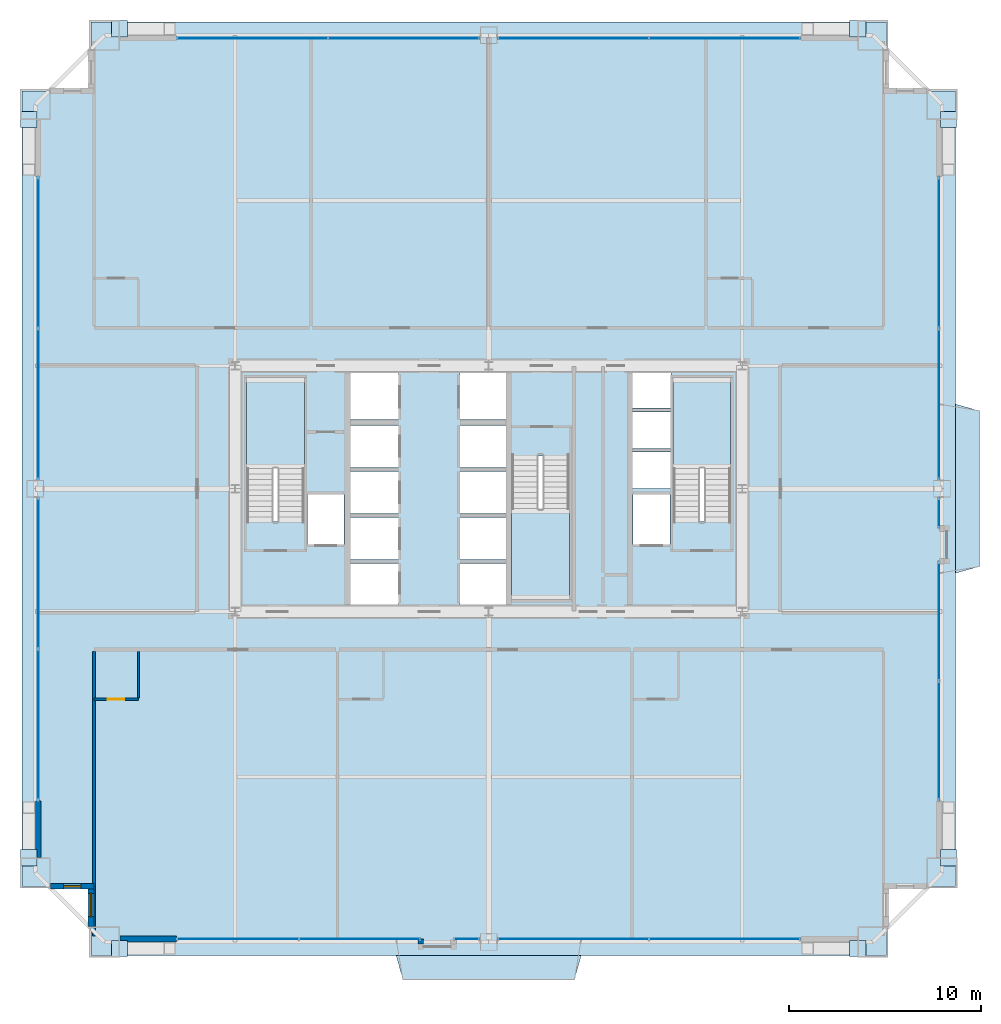
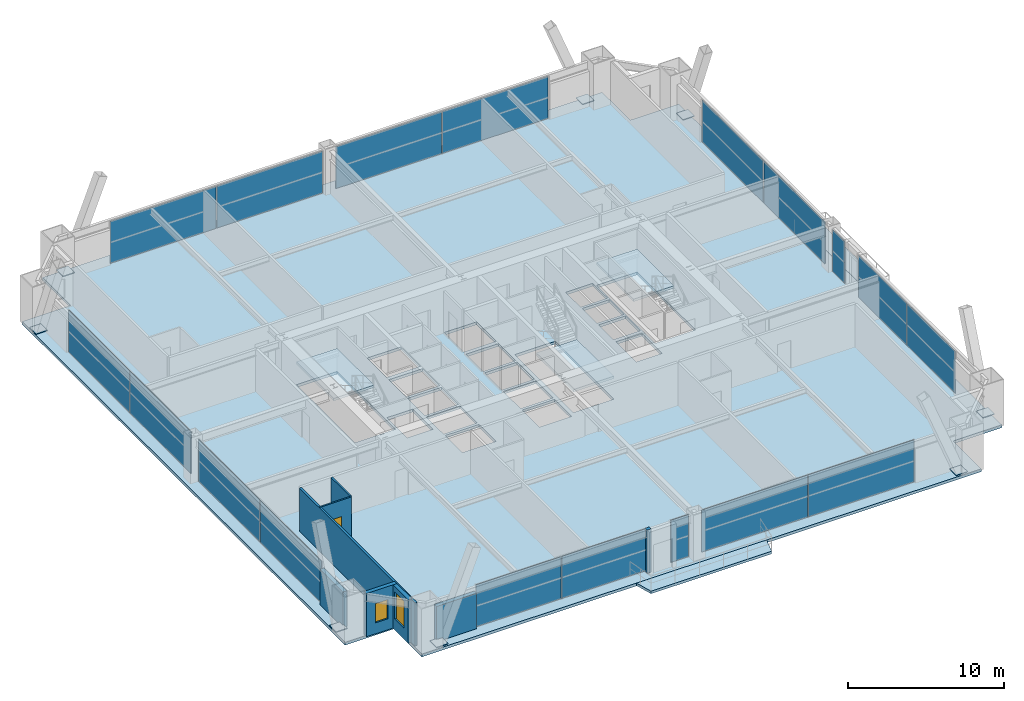
# One storey, part 38 of 43: 26 plates, 8 walls, 6 slabs, 2 windows, 1 door, 3 openings, 13 elements without a shape of their own.
"""IFC4 building model written with IfcOpenShell, lengths in metres."""

from ifc_helpers import new_model, si_unit, direction, frame, frame_2d, origin, origin_2d, place, context, subcontext, project, spatial, polyline, rectangle, outline, extrude, source, transform, mapped, material, layer, layer_set, type_object, element, fill, aggregate, save


model = new_model("IFC4")

# Units and contexts
model_context = context("Model", 3, precision=1e-05, world=origin(), true_north=direction((0.0, 1.0)))
body_context = subcontext(model_context, "Body", "Model", "MODEL_VIEW")
ifc_project = project(units=[si_unit("LENGTHUNIT", "METRE"), si_unit("AREAUNIT", "SQUARE_METRE"), si_unit("VOLUMEUNIT", "CUBIC_METRE"), si_unit("PLANEANGLEUNIT", "RADIAN"), si_unit("MASSUNIT", "GRAM", prefix="KILO"), si_unit("THERMODYNAMICTEMPERATUREUNIT", "KELVIN"), si_unit("POWERUNIT", "WATT")], contexts=[model_context])

# Site, building, storey
site_placement = place(None, origin())
site = spatial("IfcSite", under=ifc_project, at=site_placement, CompositionType="ELEMENT")
building_placement = place(site_placement, origin())
building = spatial("IfcBuilding", under=site, at=building_placement, Name="Yuzanri Waterfront Tower", CompositionType="ELEMENT")
storey_placement = place(building_placement, frame((0.0, 0.0, 101.0)))
storey = spatial("IfcBuildingStorey", under=building, at=storey_placement, Name="L26", CompositionType="ELEMENT", Elevation=101.0)

# Slabs
ifc_material_1 = material(Name="Concrete C40", Category="concrete")
ifc_layer_1 = layer(ifc_material_1, 0.199951171875)
ifc_layer_set_1 = layer_set([ifc_layer_1], Name="Concrete C40")
slab_type_1 = type_object("IfcSlabType", Name="Concrete C40 Cantilevered Engawa Wave Terrace Slab 200", PredefinedType="FLOOR", material=ifc_layer_set_1)
slab_1_placement = place(storey_placement, frame((0.0, 0.0, -0.199951171875)))
element("IfcSlab", 1, at=slab_1_placement, inside=storey, type_object=slab_type_1, Name="L26 S Cantilevered Engawa Terrace Slab", PredefinedType="FLOOR", context=body_context, shape_type="SweptSolid", body=[
    extrude(outline(polyline([(32.18310546875, 1.5), (41.81689453125, 1.5), (41.467041015625, 0.2451171875), (32.532958984375, 0.2451171875), (32.18310546875, 1.5)])), origin(), (0.0, 0.0, 1.0), 0.199951171875),
])
slab_2_placement = place(storey_placement, frame((0.0, 0.0, -0.199951171875)))
element("IfcSlab", 2, at=slab_2_placement, inside=storey, type_object=slab_type_1, Name="L26 E Cantilevered Engawa Terrace Slab", PredefinedType="FLOOR", context=body_context, shape_type="SweptSolid", body=[
    extrude(outline(polyline([(61.300048828125, 21.39990234375), (62.554931640625, 21.75), (62.554931640625, 29.85009765625), (61.300048828125, 30.199951171875), (61.300048828125, 21.39990234375)])), origin(), (0.0, 0.0, 1.0), 0.199951171875),
])

# Stair, slab
ifc_material_2 = material(Name="Concrete C40", Category="concrete")
stair_type = type_object("IfcStairType", Name="Concrete C40 Core Dogleg Exit Stair", PredefinedType="HALF_TURN_STAIR", material=ifc_material_2)
stair_1_placement = place(storey_placement, origin())
stair_1 = element("IfcStair", 3, at=stair_1_placement, inside=storey, type_object=stair_type, Name="L26 Smoke-Proof Core Stair ST-01", PredefinedType="HALF_TURN_STAIR")
ifc_material_3 = material(Name="Concrete C40", Category="concrete")
ifc_layer_2 = layer(ifc_material_3, 0.179931640625)
ifc_layer_set_2 = layer_set([ifc_layer_2], Name="Concrete C40")
slab_type_2 = type_object("IfcSlabType", Name="Concrete C40 Stair Half-Landing Slab 180", PredefinedType="LANDING", material=ifc_layer_set_2)
slab_3_placement = place(storey_placement, frame((0.0, 0.0, 1.60009765625)))
slab_3 = element("IfcSlab", 4, at=slab_3_placement, type_object=slab_type_2, Name="ST-01 landing 1", PredefinedType="LANDING", context=body_context, shape_type="SweptSolid", body=[
    extrude(outline(polyline([(27.39990234375, 26.840087890625), (27.39990234375, 31.580078125), (24.39990234375, 31.580078125), (24.39990234375, 26.840087890625), (27.39990234375, 26.840087890625)])), origin(), (0.0, 0.0, 1.0), 0.199951171875),
])
aggregate(stair_1, [slab_3])

stair_2_placement = place(storey_placement, origin())
stair_2 = element("IfcStair", 5, at=stair_2_placement, inside=storey, type_object=stair_type, Name="L26 Smoke-Proof Core Stair ST-02", PredefinedType="HALF_TURN_STAIR")
slab_4_placement = place(storey_placement, frame((0.0, 0.0, 1.60009765625)))
slab_4 = element("IfcSlab", 6, at=slab_4_placement, type_object=slab_type_2, Name="ST-02 landing 1", PredefinedType="LANDING", context=body_context, shape_type="SweptSolid", body=[
    extrude(outline(polyline([(49.60009765625, 26.840087890625), (49.60009765625, 31.580078125), (46.60009765625, 31.580078125), (46.60009765625, 26.840087890625), (49.60009765625, 26.840087890625)])), origin(), (0.0, 0.0, 1.0), 0.199951171875),
])
aggregate(stair_2, [slab_4])

stair_3_placement = place(storey_placement, origin())
stair_3 = element("IfcStair", 7, at=stair_3_placement, inside=storey, type_object=stair_type, Name="L26 Smoke-Proof Core Stair ST-03", PredefinedType="HALF_TURN_STAIR")
slab_5_placement = place(storey_placement, frame((0.0, 0.0, 1.60009765625)))
slab_5 = element("IfcSlab", 8, at=slab_5_placement, type_object=slab_type_2, Name="ST-03 landing 1", PredefinedType="LANDING", context=body_context, shape_type="SweptSolid", body=[
    extrude(outline(polyline([(38.199951171875, 24.760009765625), (38.199951171875, 20.02001953125), (41.199951171875, 20.02001953125), (41.199951171875, 24.760009765625), (38.199951171875, 24.760009765625)])), origin(), (0.0, 0.0, 1.0), 0.199951171875),
])
aggregate(stair_3, [slab_5])

# Slab
ifc_material_4 = material(Name="Concrete C40", Category="concrete")
ifc_layer_3 = layer(ifc_material_4, 0.219970703125)
ifc_layer_set_3 = layer_set([ifc_layer_3], Name="Concrete C40")
slab_type_3 = type_object("IfcSlabType", Name="Concrete C40 Tower Typical Structural Floor Slab 220", PredefinedType="FLOOR", material=ifc_layer_set_3)
slab_6_placement = place(storey_placement, frame((0.0, 0.0, -0.219970703125)))
element("IfcSlab", 9, at=slab_6_placement, inside=storey, type_object=slab_type_3, Name="L26 Main Structural Floor Slab", PredefinedType="FLOOR", context=body_context, shape_type="SweptSolid", body=[
    extrude(outline(polyline([(16.300048828125, 1.5), (57.699951171875, 1.5), (57.699951171875, 5.10009765625), (61.300048828125, 5.10009765625), (61.300048828125, 46.5), (57.699951171875, 46.5), (57.699951171875, 50.10009765625), (16.300048828125, 50.10009765625), (16.300048828125, 46.5), (12.699951171875, 46.5), (12.699951171875, 5.10009765625), (16.300048828125, 5.10009765625), (16.300048828125, 1.5)]), holes=[polyline([(27.39990234375, 24.10009765625), (27.39990234375, 31.580078125), (24.39990234375, 31.580078125), (24.39990234375, 24.10009765625), (27.39990234375, 24.10009765625)]), polyline([(49.60009765625, 24.10009765625), (49.60009765625, 31.580078125), (46.60009765625, 31.580078125), (46.60009765625, 24.10009765625), (49.60009765625, 24.10009765625)]), polyline([(38.199951171875, 27.5), (38.199951171875, 20.02001953125), (41.199951171875, 20.02001953125), (41.199951171875, 27.5), (38.199951171875, 27.5)]), polyline([(27.56005859375, 22.89990234375), (29.47998046875, 22.89990234375), (29.47998046875, 25.5), (27.56005859375, 25.5), (27.56005859375, 22.89990234375)]), polyline([(44.52001953125, 22.89990234375), (46.43994140625, 22.89990234375), (46.43994140625, 25.5), (44.52001953125, 25.5), (44.52001953125, 22.89990234375)]), polyline([(29.800048828125, 19.699951171875), (32.300048828125, 19.699951171875), (32.300048828125, 21.89990234375), (29.800048828125, 21.89990234375), (29.800048828125, 19.699951171875)]), polyline([(29.800048828125, 22.10009765625), (32.300048828125, 22.10009765625), (32.300048828125, 24.300048828125), (29.800048828125, 24.300048828125), (29.800048828125, 22.10009765625)]), polyline([(29.800048828125, 24.5), (32.300048828125, 24.5), (32.300048828125, 26.699951171875), (29.800048828125, 26.699951171875), (29.800048828125, 24.5)]), polyline([(29.800048828125, 26.89990234375), (32.300048828125, 26.89990234375), (32.300048828125, 29.10009765625), (29.800048828125, 29.10009765625), (29.800048828125, 26.89990234375)]), polyline([(29.800048828125, 29.39990234375), (32.300048828125, 29.39990234375), (32.300048828125, 31.89990234375), (29.800048828125, 31.89990234375), (29.800048828125, 29.39990234375)]), polyline([(35.5, 19.699951171875), (37.89990234375, 19.699951171875), (37.89990234375, 21.89990234375), (35.5, 21.89990234375), (35.5, 19.699951171875)]), polyline([(35.5, 22.10009765625), (37.89990234375, 22.10009765625), (37.89990234375, 24.300048828125), (35.5, 24.300048828125), (35.5, 22.10009765625)]), polyline([(35.5, 24.5), (37.89990234375, 24.5), (37.89990234375, 26.699951171875), (35.5, 26.699951171875), (35.5, 24.5)]), polyline([(35.5, 26.89990234375), (37.89990234375, 26.89990234375), (37.89990234375, 29.10009765625), (35.5, 29.10009765625), (35.5, 26.89990234375)]), polyline([(35.5, 29.39990234375), (37.89990234375, 29.39990234375), (37.89990234375, 31.89990234375), (35.5, 31.89990234375), (35.5, 29.39990234375)]), polyline([(44.5, 25.800048828125), (46.5, 25.800048828125), (46.5, 27.699951171875), (44.5, 27.699951171875), (44.5, 25.800048828125)]), polyline([(44.5, 27.89990234375), (46.5, 27.89990234375), (46.5, 29.800048828125), (44.5, 29.800048828125), (44.5, 27.89990234375)]), polyline([(44.5, 30.0), (46.5, 30.0), (46.5, 31.89990234375), (44.5, 31.89990234375), (44.5, 30.0)])]), origin(), (0.0, 0.0, 1.0), 0.219970703125),
])

# Plates
ifc_material_5 = material(Name="Steel Q420GJC", Category="steel")
ifc_layer_4 = layer(ifc_material_5, 0.0400390625)
ifc_layer_set_4 = layer_set([ifc_layer_4], Name="Steel Q420GJC")
plate_type_1 = type_object("IfcPlateType", Name="Steel Q420GJC Mega-Brace Gusset and End-Cap Plate 40", PredefinedType="SHEET", material=ifc_layer_set_4)
shared_shape_1 = source(origin(), body_context, "Body", "SweptSolid", [
    extrude(rectangle(XDim=0.85009765625, YDim=0.85009765625, at=origin_2d()), origin(), (0.0, 0.0, 1.0), 0.0400390625),
])
for number, where, z_axis, x_axis, name in (
    (10, (17.780029296875, 1.860107421875, 0.159912109375), (0.0, 0.0, 1.0), (1.0, 0.0, 0.0), "L26 Mega-Brace Foot Cap Plate S-L"),
    (11, (56.219970703125, 1.860107421875, 0.159912109375), (0.0, 0.0, 1.0), (1.0, 0.0, 0.0), "L26 Mega-Brace Foot Cap Plate S-R"),
    (12, (17.780029296875, 49.739990234375, 0.159912109375), (0.0, 0.0, 1.0), (1.0, 0.0, 0.0), "L26 Mega-Brace Foot Cap Plate N-L"),
    (13, (56.219970703125, 49.739990234375, 0.159912109375), (0.0, 0.0, 1.0), (1.0, 0.0, 0.0), "L26 Mega-Brace Foot Cap Plate N-R"),
    (14, (13.06005859375, 6.580078125, 0.159912109375), (0.0, 0.0, 1.0), (1.0, 0.0, 0.0), "L26 Mega-Brace Foot Cap Plate W-L"),
    (15, (13.06005859375, 45.02001953125, 0.159912109375), (0.0, 0.0, 1.0), (1.0, 0.0, 0.0), "L26 Mega-Brace Foot Cap Plate W-R"),
    (16, (60.93994140625, 6.580078125, 0.159912109375), (0.0, 0.0, 1.0), (1.0, 0.0, 0.0), "L26 Mega-Brace Foot Cap Plate E-L"),
    (17, (60.93994140625, 45.02001953125, 0.159912109375), (0.0, 0.0, 1.0), (1.0, 0.0, 0.0), "L26 Mega-Brace Foot Cap Plate E-R"),
):
    element("IfcPlate", number, at=place(storey_placement, frame(where, z_axis=z_axis, x_axis=x_axis)), inside=storey, type_object=plate_type_1, Name=name, PredefinedType="SHEET", context=body_context, shape_type="MappedRepresentation", body=[
        mapped(shared_shape_1, transform((0.0, 0.0, 0.0), scale=1.0)),
    ])

# Curtain wall, plate
ifc_material_6 = material(Name="Anodized Architectural Bronze", Category="metal")
ifc_layer_5 = layer(ifc_material_6, 0.159912109375)
ifc_layer_set_5 = layer_set([ifc_layer_5], Name="Anodized Architectural Bronze")
curtain_wall_type = type_object("IfcCurtainWallType", Name="Anodized Bronze Hotel Upper-Tier Solar-Control Unitized Curtain Wall 7800", PredefinedType="NOTDEFINED", material=ifc_layer_set_5)
curtain_wall_1_placement = place(storey_placement, origin())
curtain_wall_1 = element("IfcCurtainWall", 18, at=curtain_wall_1_placement, inside=storey, type_object=curtain_wall_type, Name="L26 Curtain Wall CW-L26-EL2", PredefinedType="NOTDEFINED")
ifc_material_7 = material(Name="Double-Silver Low-E Insulated Glass", Category="glass")
ifc_layer_6 = layer(ifc_material_7, 0.035888671875)
ifc_layer_set_6 = layer_set([ifc_layer_6], Name="Double-Silver Low-E Insulated Glass")
plate_type_2 = type_object("IfcPlateType", Name="Double Silver Low-E Insulated Vision Glass Panel 36", PredefinedType="CURTAIN_PANEL", material=ifc_layer_set_6)
shared_shape_2 = source(origin(), body_context, "Body", "SweptSolid", [
    extrude(rectangle(XDim=1.544921875, YDim=0.035888671875, at=origin_2d()), origin(), (0.0, 0.0, 1.0), 3.280029296875),
])
plate_1_placement = place(storey_placement, frame((60.449951171875, 24.53759765625, 0.0498046875), z_axis=(0.0, 0.0, 1.0), x_axis=(0.0, 1.0, 0.0)))
plate_1 = element("IfcPlate", 19, at=plate_1_placement, type_object=plate_type_2, Name="CW-L26-EL2 Vision Glass Panel 01", PredefinedType="CURTAIN_PANEL", context=body_context, shape_type="MappedRepresentation", body=[
    mapped(shared_shape_2, transform((0.0, 0.0, 0.0), scale=1.0)),
])
aggregate(curtain_wall_1, [plate_1])

# Curtain wall, plates
curtain_wall_2_placement = place(storey_placement, origin())
curtain_wall_2 = element("IfcCurtainWall", 20, at=curtain_wall_2_placement, inside=storey, type_object=curtain_wall_type, Name="L26 Curtain Wall CW-L26-SR", PredefinedType="NOTDEFINED")
shared_shape_3 = source(origin(), body_context, "Body", "SweptSolid", [
    extrude(rectangle(XDim=7.820068359375, YDim=0.035888671875, at=origin_2d()), origin(), (0.0, 0.0, 1.0), 3.280029296875),
])
plate_2_placement = place(storey_placement, frame((41.39990234375, 2.35009765625, 0.0498046875), z_axis=(0.0, 0.0, 1.0), x_axis=(1.0, 0.0, 0.0)))
plate_2 = element("IfcPlate", 21, at=plate_2_placement, type_object=plate_type_2, Name="CW-L26-SR Vision Glass Panel 01", PredefinedType="CURTAIN_PANEL", context=body_context, shape_type="MappedRepresentation", body=[
    mapped(shared_shape_3, transform((0.0, 0.0, 0.0), scale=1.0)),
])
plate_3_placement = place(storey_placement, frame((49.300048828125, 2.35009765625, 0.0498046875), z_axis=(0.0, 0.0, 1.0), x_axis=(1.0, 0.0, 0.0)))
plate_3 = element("IfcPlate", 22, at=plate_3_placement, type_object=plate_type_2, Name="CW-L26-SR Vision Glass Panel 02", PredefinedType="CURTAIN_PANEL", context=body_context, shape_type="MappedRepresentation", body=[
    mapped(shared_shape_3, transform((0.0, 0.0, 0.0), scale=1.0)),
])
aggregate(curtain_wall_2, [plate_2, plate_3])

curtain_wall_3_placement = place(storey_placement, origin())
curtain_wall_3 = element("IfcCurtainWall", 23, at=curtain_wall_3_placement, inside=storey, type_object=curtain_wall_type, Name="L26 Curtain Wall CW-L26-NL", PredefinedType="NOTDEFINED")
plate_4_placement = place(storey_placement, frame((24.699951171875, 49.25, 0.0498046875), z_axis=(0.0, 0.0, 1.0), x_axis=(1.0, 0.0, 0.0)))
plate_4 = element("IfcPlate", 24, at=plate_4_placement, type_object=plate_type_2, Name="CW-L26-NL Vision Glass Panel 01", PredefinedType="CURTAIN_PANEL", context=body_context, shape_type="MappedRepresentation", body=[
    mapped(shared_shape_3, transform((0.0, 0.0, 0.0), scale=1.0)),
])
plate_5_placement = place(storey_placement, frame((32.60009765625, 49.25, 0.0498046875), z_axis=(0.0, 0.0, 1.0), x_axis=(1.0, 0.0, 0.0)))
plate_5 = element("IfcPlate", 25, at=plate_5_placement, type_object=plate_type_2, Name="CW-L26-NL Vision Glass Panel 02", PredefinedType="CURTAIN_PANEL", context=body_context, shape_type="MappedRepresentation", body=[
    mapped(shared_shape_3, transform((0.0, 0.0, 0.0), scale=1.0)),
])
aggregate(curtain_wall_3, [plate_4, plate_5])

curtain_wall_4_placement = place(storey_placement, origin())
curtain_wall_4 = element("IfcCurtainWall", 26, at=curtain_wall_4_placement, inside=storey, type_object=curtain_wall_type, Name="L26 Curtain Wall CW-L26-NR", PredefinedType="NOTDEFINED")
plate_6_placement = place(storey_placement, frame((41.39990234375, 49.25, 0.0498046875), z_axis=(0.0, 0.0, 1.0), x_axis=(1.0, 0.0, 0.0)))
plate_6 = element("IfcPlate", 27, at=plate_6_placement, type_object=plate_type_2, Name="CW-L26-NR Vision Glass Panel 01", PredefinedType="CURTAIN_PANEL", context=body_context, shape_type="MappedRepresentation", body=[
    mapped(shared_shape_3, transform((0.0, 0.0, 0.0), scale=1.0)),
])
plate_7_placement = place(storey_placement, frame((49.300048828125, 49.25, 0.0498046875), z_axis=(0.0, 0.0, 1.0), x_axis=(1.0, 0.0, 0.0)))
plate_7 = element("IfcPlate", 28, at=plate_7_placement, type_object=plate_type_2, Name="CW-L26-NR Vision Glass Panel 02", PredefinedType="CURTAIN_PANEL", context=body_context, shape_type="MappedRepresentation", body=[
    mapped(shared_shape_3, transform((0.0, 0.0, 0.0), scale=1.0)),
])
aggregate(curtain_wall_4, [plate_6, plate_7])

curtain_wall_5_placement = place(storey_placement, origin())
curtain_wall_5 = element("IfcCurtainWall", 29, at=curtain_wall_5_placement, inside=storey, type_object=curtain_wall_type, Name="L26 Curtain Wall CW-L26-WL", PredefinedType="NOTDEFINED")
plate_8_placement = place(storey_placement, frame((13.550048828125, 13.5, 0.0498046875), z_axis=(0.0, 0.0, 1.0), x_axis=(0.0, 1.0, 0.0)))
plate_8 = element("IfcPlate", 30, at=plate_8_placement, type_object=plate_type_2, Name="CW-L26-WL Vision Glass Panel 01", PredefinedType="CURTAIN_PANEL", context=body_context, shape_type="MappedRepresentation", body=[
    mapped(shared_shape_3, transform((0.0, 0.0, 0.0), scale=1.0)),
])
plate_9_placement = place(storey_placement, frame((13.550048828125, 21.39990234375, 0.0498046875), z_axis=(0.0, 0.0, 1.0), x_axis=(0.0, 1.0, 0.0)))
plate_9 = element("IfcPlate", 31, at=plate_9_placement, type_object=plate_type_2, Name="CW-L26-WL Vision Glass Panel 02", PredefinedType="CURTAIN_PANEL", context=body_context, shape_type="MappedRepresentation", body=[
    mapped(shared_shape_3, transform((0.0, 0.0, 0.0), scale=1.0)),
])
aggregate(curtain_wall_5, [plate_8, plate_9])

curtain_wall_6_placement = place(storey_placement, origin())
curtain_wall_6 = element("IfcCurtainWall", 32, at=curtain_wall_6_placement, inside=storey, type_object=curtain_wall_type, Name="L26 Curtain Wall CW-L26-WR", PredefinedType="NOTDEFINED")
plate_10_placement = place(storey_placement, frame((13.550048828125, 30.199951171875, 0.0498046875), z_axis=(0.0, 0.0, 1.0), x_axis=(0.0, 1.0, 0.0)))
plate_10 = element("IfcPlate", 33, at=plate_10_placement, type_object=plate_type_2, Name="CW-L26-WR Vision Glass Panel 01", PredefinedType="CURTAIN_PANEL", context=body_context, shape_type="MappedRepresentation", body=[
    mapped(shared_shape_3, transform((0.0, 0.0, 0.0), scale=1.0)),
])
plate_11_placement = place(storey_placement, frame((13.550048828125, 38.10009765625, 0.0498046875), z_axis=(0.0, 0.0, 1.0), x_axis=(0.0, 1.0, 0.0)))
plate_11 = element("IfcPlate", 34, at=plate_11_placement, type_object=plate_type_2, Name="CW-L26-WR Vision Glass Panel 02", PredefinedType="CURTAIN_PANEL", context=body_context, shape_type="MappedRepresentation", body=[
    mapped(shared_shape_3, transform((0.0, 0.0, 0.0), scale=1.0)),
])
aggregate(curtain_wall_6, [plate_10, plate_11])

curtain_wall_7_placement = place(storey_placement, origin())
curtain_wall_7 = element("IfcCurtainWall", 35, at=curtain_wall_7_placement, inside=storey, type_object=curtain_wall_type, Name="L26 Curtain Wall CW-L26-ER", PredefinedType="NOTDEFINED")
plate_12_placement = place(storey_placement, frame((60.449951171875, 30.199951171875, 0.0498046875), z_axis=(0.0, 0.0, 1.0), x_axis=(0.0, 1.0, 0.0)))
plate_12 = element("IfcPlate", 36, at=plate_12_placement, type_object=plate_type_2, Name="CW-L26-ER Vision Glass Panel 01", PredefinedType="CURTAIN_PANEL", context=body_context, shape_type="MappedRepresentation", body=[
    mapped(shared_shape_3, transform((0.0, 0.0, 0.0), scale=1.0)),
])
plate_13_placement = place(storey_placement, frame((60.449951171875, 38.10009765625, 0.0498046875), z_axis=(0.0, 0.0, 1.0), x_axis=(0.0, 1.0, 0.0)))
plate_13 = element("IfcPlate", 37, at=plate_13_placement, type_object=plate_type_2, Name="CW-L26-ER Vision Glass Panel 02", PredefinedType="CURTAIN_PANEL", context=body_context, shape_type="MappedRepresentation", body=[
    mapped(shared_shape_3, transform((0.0, 0.0, 0.0), scale=1.0)),
])
aggregate(curtain_wall_7, [plate_12, plate_13])

curtain_wall_8_placement = place(storey_placement, origin())
curtain_wall_8 = element("IfcCurtainWall", 38, at=curtain_wall_8_placement, inside=storey, type_object=curtain_wall_type, Name="L26 Curtain Wall CW-L26-SL1", PredefinedType="NOTDEFINED")
shared_shape_4 = source(origin(), body_context, "Body", "SweptSolid", [
    extrude(rectangle(XDim=6.278564453125, YDim=0.035888671875, at=origin_2d()), origin(), (0.0, 0.0, 1.0), 3.280029296875),
])
plate_14_placement = place(storey_placement, frame((23.92919921875, 2.35009765625, 0.0498046875), z_axis=(0.0, 0.0, 1.0), x_axis=(1.0, 0.0, 0.0)))
plate_14 = element("IfcPlate", 39, at=plate_14_placement, type_object=plate_type_2, Name="CW-L26-SL1 Vision Glass Panel 01", PredefinedType="CURTAIN_PANEL", context=body_context, shape_type="MappedRepresentation", body=[
    mapped(shared_shape_4, transform((0.0, 0.0, 0.0), scale=1.0)),
])
plate_15_placement = place(storey_placement, frame((30.28759765625, 2.35009765625, 0.0498046875), z_axis=(0.0, 0.0, 1.0), x_axis=(1.0, 0.0, 0.0)))
plate_15 = element("IfcPlate", 40, at=plate_15_placement, type_object=plate_type_2, Name="CW-L26-SL1 Vision Glass Panel 02", PredefinedType="CURTAIN_PANEL", context=body_context, shape_type="MappedRepresentation", body=[
    mapped(shared_shape_4, transform((0.0, 0.0, 0.0), scale=1.0)),
])
aggregate(curtain_wall_8, [plate_14, plate_15])

# Curtain wall, plate
curtain_wall_9_placement = place(storey_placement, origin())
curtain_wall_9 = element("IfcCurtainWall", 41, at=curtain_wall_9_placement, inside=storey, type_object=curtain_wall_type, Name="L26 Curtain Wall CW-L26-SL2", PredefinedType="NOTDEFINED")
shared_shape_5 = source(origin(), body_context, "Body", "SweptSolid", [
    extrude(rectangle(XDim=1.302978515625, YDim=0.035888671875, at=origin_2d()), origin(), (0.0, 0.0, 1.0), 3.280029296875),
])
plate_16_placement = place(storey_placement, frame((35.8583984375, 2.35009765625, 0.0498046875), z_axis=(0.0, 0.0, 1.0), x_axis=(1.0, 0.0, 0.0)))
plate_16 = element("IfcPlate", 42, at=plate_16_placement, type_object=plate_type_2, Name="CW-L26-SL2 Vision Glass Panel 01", PredefinedType="CURTAIN_PANEL", context=body_context, shape_type="MappedRepresentation", body=[
    mapped(shared_shape_5, transform((0.0, 0.0, 0.0), scale=1.0)),
])
aggregate(curtain_wall_9, [plate_16])

# Curtain wall, plates
curtain_wall_10_placement = place(storey_placement, origin())
curtain_wall_10 = element("IfcCurtainWall", 43, at=curtain_wall_10_placement, inside=storey, type_object=curtain_wall_type, Name="L26 Curtain Wall CW-L26-EL1", PredefinedType="NOTDEFINED")
shared_shape_6 = source(origin(), body_context, "Body", "SweptSolid", [
    extrude(rectangle(XDim=6.157470703125, YDim=0.035888671875, at=origin_2d()), origin(), (0.0, 0.0, 1.0), 3.280029296875),
])
plate_17_placement = place(storey_placement, frame((60.449951171875, 12.668701171875, 0.0498046875), z_axis=(0.0, 0.0, 1.0), x_axis=(0.0, 1.0, 0.0)))
plate_17 = element("IfcPlate", 44, at=plate_17_placement, type_object=plate_type_2, Name="CW-L26-EL1 Vision Glass Panel 01", PredefinedType="CURTAIN_PANEL", context=body_context, shape_type="MappedRepresentation", body=[
    mapped(shared_shape_6, transform((0.0, 0.0, 0.0), scale=1.0)),
])
plate_18_placement = place(storey_placement, frame((60.449951171875, 18.90625, 0.0498046875), z_axis=(0.0, 0.0, 1.0), x_axis=(0.0, 1.0, 0.0)))
plate_18 = element("IfcPlate", 45, at=plate_18_placement, type_object=plate_type_2, Name="CW-L26-EL1 Vision Glass Panel 02", PredefinedType="CURTAIN_PANEL", context=body_context, shape_type="MappedRepresentation", body=[
    mapped(shared_shape_6, transform((0.0, 0.0, 0.0), scale=1.0)),
])
aggregate(curtain_wall_10, [plate_17, plate_18])

# Wall, opening, door
ifc_material_8 = material(Name="Moisture-Resistant Gypsum Stud Wall", Category="gypsum")
ifc_layer_7 = layer(ifc_material_8, 0.1201171875)
ifc_layer_set_7 = layer_set([ifc_layer_7], Name="Moisture-Resistant Gypsum Stud Wall")
wall_type_1 = type_object("IfcWallType", Name="Bathroom and Kitchen Wet Partition 120", PredefinedType="PARTITIONING", material=ifc_layer_set_7)
wall_1_placement = place(storey_placement, frame((16.43994140625, 14.840087890625, 0.0), z_axis=(0.0, 0.0, 1.0), x_axis=(1.0, 0.0, 0.0)))
wall_1 = element("IfcWall", 46, at=wall_1_placement, inside=storey, type_object=wall_type_1, Name="L26 Partition UW-L26-S1-BS", PredefinedType="PARTITIONING", context=body_context, shape_type="SweptSolid", body=[
    extrude(rectangle(XDim=2.330078125, YDim=0.1201171875, at=frame_2d((1.1650390625, 0.0))), origin(), (0.0, 0.0, 1.0), 3.3798828125),
])
opening_1_placement = place(wall_1_placement, frame((0.739990234375, 0.0, 0.0)))
opening_1 = element("IfcOpeningElement", 47, at=opening_1_placement, cuts=wall_1, Name="Opening ID-0850", PredefinedType="OPENING", context=body_context, shape_type="SweptSolid", body=[
    extrude(rectangle(XDim=0.85009765625, YDim=2.10009765625, at=frame_2d((0.425048828125, 1.050048828125))), frame((0.0, 0.074951171875, 0.0), z_axis=(0.0, -1.0, 0.0), x_axis=(1.0, 0.0, 0.0)), (0.0, 0.0, 1.0), 0.14990234375),
])
ifc_material_9 = material(Name="Moisture-Resistant Lacquered Timber", Category="wood")
door_type = type_object("IfcDoorType", Name="En-Suite Bathroom and Kitchen Swing Door 850x2100", OperationType="NOTDEFINED", PredefinedType="DOOR", material=ifc_material_9)
shared_shape_7 = source(origin(), body_context, "Body", "SweptSolid", [
    extrude(rectangle(XDim=0.85009765625, YDim=2.10009765625, at=frame_2d((0.425048828125, 1.050048828125))), frame((0.0, 0.02490234375, 0.0), z_axis=(0.0, -1.0, 0.0), x_axis=(1.0, 0.0, 0.0)), (0.0, 0.0, 1.0), 0.050048828125),
])
door_placement = place(opening_1_placement, origin())
door = element("IfcDoor", 48, at=door_placement, inside=storey, type_object=door_type, Name="L26 Guest En-Suite Door", OperationType="SINGLE_SWING_LEFT", OverallHeight=2.10009765625, OverallWidth=0.85009765625, PredefinedType="DOOR", context=body_context, shape_type="MappedRepresentation", body=[
    mapped(shared_shape_7, transform((0.0, 0.0, 0.0), scale=1.0)),
])
fill(opening_1, door)

# Wall, opening, window
ifc_material_10 = material(Name="Honed Chongqing Dark Basalt Stone", Category="masonry")
ifc_layer_8 = layer(ifc_material_10, 0.300048828125)
ifc_layer_set_8 = layer_set([ifc_layer_8], Name="Honed Chongqing Dark Basalt Stone")
wall_type_2 = type_object("IfcWallType", Name="Bronze Rainscreen Insulated Spandrel Portal Wall 300", PredefinedType="SOLIDWALL", material=ifc_layer_set_8)
wall_2_placement = place(storey_placement, frame((14.199951171875, 5.10009765625, 0.0), z_axis=(0.0, 0.0, 1.0), x_axis=(1.0, 0.0, 0.0)))
wall_2 = element("IfcWall", 49, at=wall_2_placement, inside=storey, type_object=wall_type_2, Name="L26 Notched Corner Masonry Wall SW-X", PredefinedType="SOLIDWALL", context=body_context, shape_type="SweptSolid", body=[
    extrude(rectangle(XDim=2.25, YDim=0.300048828125, at=frame_2d((1.125, 0.0))), origin(), (0.0, 0.0, 1.0), 3.3798828125),
])
opening_2_placement = place(wall_2_placement, frame((0.675048828125, 0.0, 0.85009765625)))
opening_2 = element("IfcOpeningElement", 50, at=opening_2_placement, cuts=wall_2, Name="Opening WN-05", PredefinedType="OPENING", context=body_context, shape_type="SweptSolid", body=[
    extrude(rectangle(XDim=0.89990234375, YDim=1.5, at=frame_2d((0.449951171875, 0.75))), frame((0.0, 0.1650390625, 0.0), z_axis=(0.0, -1.0, 0.0), x_axis=(1.0, 0.0, 0.0)), (0.0, 0.0, 1.0), 0.329833984375),
])
ifc_material_11 = material(Name="Double-Silver Low-E Insulated Glass", Category="glass")
window_type_1 = type_object("IfcWindowType", Name="Anodized Bronze Service and Stairwell Smoke-Vent Window 900x1500", PartitioningType="SINGLE_PANEL", PredefinedType="WINDOW", material=ifc_material_11)
shared_shape_8 = source(origin(), body_context, "Body", "SweptSolid", [
    extrude(rectangle(XDim=0.89990234375, YDim=1.5, at=frame_2d((0.449951171875, 0.75))), frame((0.0, 0.030029296875, 0.0), z_axis=(0.0, -1.0, 0.0), x_axis=(1.0, 0.0, 0.0)), (0.0, 0.0, 1.0), 0.06005859375),
])
window_1_placement = place(opening_2_placement, origin())
window_1 = element("IfcWindow", 51, at=window_1_placement, inside=storey, type_object=window_type_1, Name="L26 Notched Corner Window SW-X", OverallHeight=1.5, OverallWidth=0.89990234375, PartitioningType="SINGLE_PANEL", PredefinedType="WINDOW", context=body_context, shape_type="MappedRepresentation", body=[
    mapped(shared_shape_8, transform((0.0, 0.0, 0.0), scale=1.0)),
])
fill(opening_2, window_1)

wall_3_placement = place(storey_placement, frame((16.300048828125, 5.25, 0.0), z_axis=(0.0, 0.0, 1.0), x_axis=(0.0, -1.0, 0.0)))
wall_3 = element("IfcWall", 52, at=wall_3_placement, inside=storey, type_object=wall_type_2, Name="L26 Notched Corner Masonry Wall SW-Y", PredefinedType="SOLIDWALL", context=body_context, shape_type="SweptSolid", body=[
    extrude(rectangle(XDim=2.25, YDim=0.300048828125, at=frame_2d((1.125, 0.0))), origin(), (0.0, 0.0, 1.0), 3.3798828125),
])
opening_3_placement = place(wall_3_placement, frame((0.52490234375, 0.0, 0.85009765625)))
opening_3 = element("IfcOpeningElement", 53, at=opening_3_placement, cuts=wall_3, Name="Opening WN-02", PredefinedType="OPENING", context=body_context, shape_type="SweptSolid", body=[
    extrude(rectangle(XDim=1.199951171875, YDim=2.10009765625, at=frame_2d((0.60009765625, 1.050048828125))), frame((0.0, 0.1650390625, 0.0), z_axis=(0.0, -1.0, 0.0), x_axis=(1.0, 0.0, 0.0)), (0.0, 0.0, 1.0), 0.329833984375),
])
ifc_material_12 = material(Name="Double-Silver Low-E Insulated Glass", Category="glass")
window_type_2 = type_object("IfcWindowType", Name="Anodized Bronze Notched Corner Deep-Set Slot Window 1200x2100", PartitioningType="SINGLE_PANEL", PredefinedType="WINDOW", material=ifc_material_12)
shared_shape_9 = source(origin(), body_context, "Body", "SweptSolid", [
    extrude(rectangle(XDim=1.199951171875, YDim=2.10009765625, at=frame_2d((0.60009765625, 1.050048828125))), frame((0.0, 0.030029296875, 0.0), z_axis=(0.0, -1.0, 0.0), x_axis=(1.0, 0.0, 0.0)), (0.0, 0.0, 1.0), 0.06005859375),
])
window_2_placement = place(opening_3_placement, origin())
window_2 = element("IfcWindow", 54, at=window_2_placement, inside=storey, type_object=window_type_2, Name="L26 Notched Corner Window SW-Y", OverallHeight=2.10009765625, OverallWidth=1.199951171875, PartitioningType="SINGLE_PANEL", PredefinedType="WINDOW", context=body_context, shape_type="MappedRepresentation", body=[
    mapped(shared_shape_9, transform((0.0, 0.0, 0.0), scale=1.0)),
])
fill(opening_3, window_2)

# Walls
shared_shape_10 = source(origin(), body_context, "Body", "SweptSolid", [
    extrude(rectangle(XDim=0.25, YDim=0.300048828125, at=frame_2d((0.125, 0.0))), origin(), (0.0, 0.0, 1.0), 3.3798828125),
])
wall_4_placement = place(storey_placement, frame((33.467041015625, 2.35009765625, 0.0), z_axis=(0.0, 0.0, 1.0), x_axis=(0.0, -1.0, 0.0)))
element("IfcWall", 55, at=wall_4_placement, inside=storey, type_object=wall_type_2, Name="L26 S Terrace Portal Left Return", PredefinedType="SOLIDWALL", context=body_context, shape_type="MappedRepresentation", body=[
    mapped(shared_shape_10, transform((0.0, 0.0, 0.0), scale=1.0)),
])
shared_shape_11 = source(origin(), body_context, "Body", "SweptSolid", [
    extrude(rectangle(XDim=2.949951171875, YDim=0.300048828125, at=frame_2d((1.47509765625, 0.0))), origin(), (0.0, 0.0, 1.0), 2.77490234375),
])
for number, where, z_axis, x_axis, name in (
    (56, (17.800048828125, 2.35009765625, 0.0), (0.0, 0.0, 1.0), (1.0, 0.0, 0.0), "L26 S Left Braced Masonry Shoulder"),
    (57, (13.550048828125, 6.60009765625, 0.0), (0.0, 0.0, 1.0), (0.0, 1.0, 0.0), "L26 W Left Braced Masonry Shoulder"),
):
    element("IfcWall", number, at=place(storey_placement, frame(where, z_axis=z_axis, x_axis=x_axis)), inside=storey, type_object=wall_type_2, Name=name, PredefinedType="SOLIDWALL", context=body_context, shape_type="MappedRepresentation", body=[
        mapped(shared_shape_11, transform((0.0, 0.0, 0.0), scale=1.0)),
    ])
shared_shape_12 = source(origin(), body_context, "Body", "SweptSolid", [
    extrude(rectangle(XDim=2.420166015625, YDim=0.1201171875, at=frame_2d((1.2099609375, 0.0))), origin(), (0.0, 0.0, 1.0), 3.3798828125),
])
wall_5_placement = place(storey_placement, frame((18.77001953125, 14.89990234375, 0.0), z_axis=(0.0, 0.0, 1.0), x_axis=(0.0, 1.0, 0.0)))
element("IfcWall", 58, at=wall_5_placement, inside=storey, type_object=wall_type_1, Name="L26-S1 En-Suite Side Wall", PredefinedType="PARTITIONING", context=body_context, shape_type="MappedRepresentation", body=[
    mapped(shared_shape_12, transform((0.0, 0.0, 0.0), scale=1.0)),
])
ifc_material_13 = material(Name="Gypsum Fireboard Acoustic Stud Wall", Category="gypsum")
ifc_layer_9 = layer(ifc_material_13, 0.159912109375)
ifc_layer_set_9 = layer_set([ifc_layer_9], Name="Gypsum Fireboard Acoustic Stud Wall")
wall_type_3 = type_object("IfcWallType", Name="Acoustic Suite Demising Partition 160", PredefinedType="PARTITIONING", material=ifc_layer_set_9)
shared_shape_13 = source(origin(), body_context, "Body", "SweptSolid", [
    extrude(rectangle(XDim=14.820068359375, YDim=0.159912109375, at=frame_2d((7.41015625, 0.0))), origin(), (0.0, 0.0, 1.0), 3.3798828125),
])
wall_6_placement = place(storey_placement, frame((16.449951171875, 2.5, 0.0), z_axis=(0.0, 0.0, 1.0), x_axis=(0.0, 1.0, 0.0)))
element("IfcWall", 59, at=wall_6_placement, inside=storey, type_object=wall_type_3, Name="L26 South Band West End Wall", PredefinedType="PARTITIONING", context=body_context, shape_type="MappedRepresentation", body=[
    mapped(shared_shape_13, transform((0.0, 0.0, 0.0), scale=1.0)),
])

save(model, "model.ifc")
